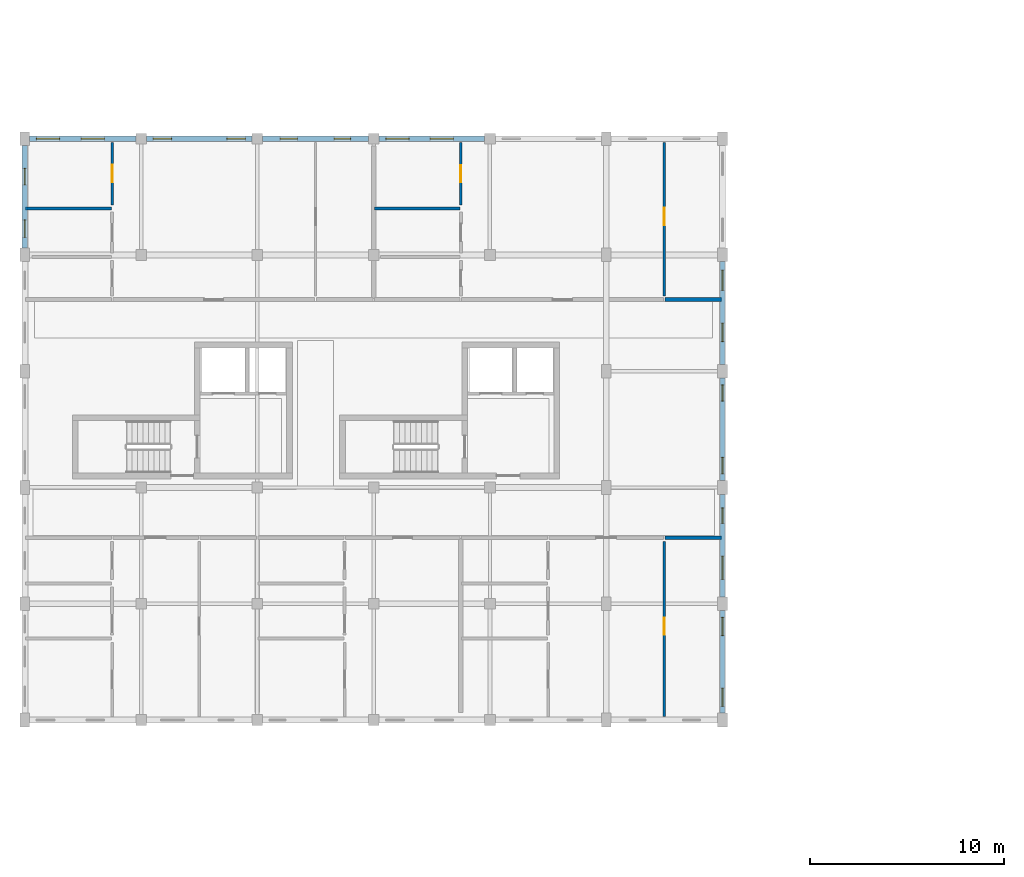
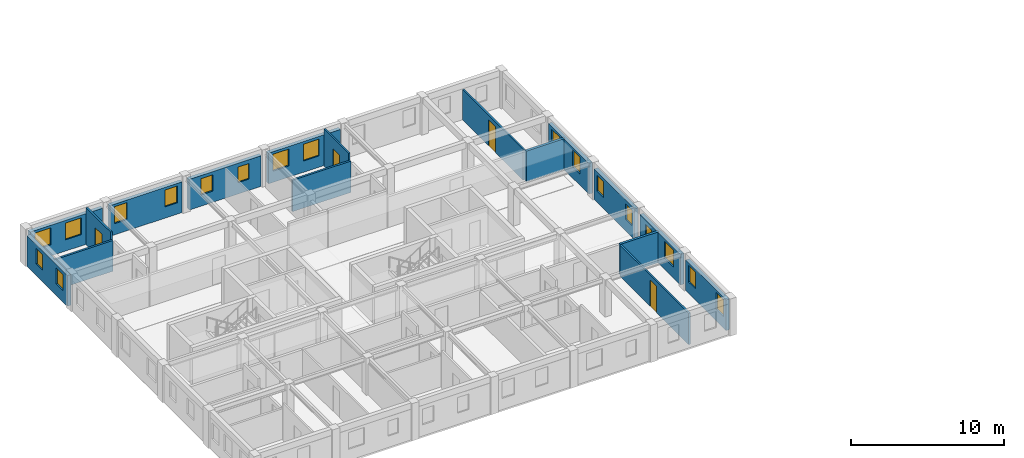
# One storey, part 9 of 28: 18 windows, 17 walls, 4 doors, 22 openings.
"""IFC4 building model written with IfcOpenShell, lengths in metres."""

from ifc_helpers import new_model, si_unit, direction, frame, frame_2d, origin, place, context, subcontext, project, spatial, rectangle, extrude, material, layer, layer_set, type_object, element, fill, save


model = new_model("IFC4")

# Units and contexts
model_context = context("Model", 3, precision=1e-05, world=origin(), true_north=direction((0.0, 1.0)))
body_context = subcontext(model_context, "Body", "Model", "MODEL_VIEW")
ifc_project = project(units=[si_unit("LENGTHUNIT", "METRE"), si_unit("AREAUNIT", "SQUARE_METRE"), si_unit("VOLUMEUNIT", "CUBIC_METRE"), si_unit("PLANEANGLEUNIT", "RADIAN"), si_unit("MASSUNIT", "GRAM", prefix="KILO"), si_unit("POWERUNIT", "WATT"), si_unit("THERMODYNAMICTEMPERATUREUNIT", "KELVIN")], contexts=[model_context])

# Site, building, storey
site_placement = place(None, origin())
site = spatial("IfcSite", under=ifc_project, at=site_placement, CompositionType="ELEMENT")
building_placement = place(site_placement, origin())
building = spatial("IfcBuilding", under=site, at=building_placement, Name="Ruvembo Vaulted Housing Court", CompositionType="ELEMENT")
storey_placement = place(building_placement, frame((0.0, 0.0, 23.699951171875)))
storey = spatial("IfcBuildingStorey", under=building, at=storey_placement, Name="L07", CompositionType="ELEMENT", Elevation=23.699951171875)

# Walls
ifc_material_1 = material(Name="Concrete Blockwork 190", Category="masonry")
ifc_layer_1 = layer(ifc_material_1, 0.18994140625, Name="Concrete Blockwork 190")
ifc_layer_set_1 = layer_set([ifc_layer_1], Name="Concrete Blockwork 190")
wall_type_1 = type_object("IfcWallType", Name="WL-CORR-190", PredefinedType="SOLIDWALL", material=ifc_layer_set_1)
for number, where, z_axis, x_axis, name in (
    (1, (33.0400390625, 15.39990234375, 0.0), (0.0, 0.0, 1.0), (1.0, 0.0, 0.0), "L07 Flat A-L07-S3 Corridor Wall 2 WL-INT-L07-01887"),
    (2, (33.0400390625, 27.699951171875, 0.0), (0.0, 0.0, 1.0), (1.0, 0.0, 0.0), "L07 Flat A-L07-N2 Corridor Wall 2 WL-INT-L07-01906"),
):
    element("IfcWall", number, at=place(storey_placement, frame(where, z_axis=z_axis, x_axis=x_axis)), inside=storey, type_object=wall_type_1, Name=name, PredefinedType="SOLIDWALL", context=body_context, shape_type="SweptSolid", body=[
        extrude(rectangle(XDim=2.919921875, YDim=0.18994140625, at=frame_2d((1.4599609375, 0.0))), origin(), (0.0, 0.0, 1.0), 2.45703125),
    ])

# Wall, openings, windows
ifc_material_2 = material(Name="Rendered Masonry 270", Category="masonry")
ifc_layer_2 = layer(ifc_material_2, 0.27001953125, Name="Rendered Masonry 270")
ifc_layer_set_2 = layer_set([ifc_layer_2], Name="Rendered Masonry 270")
wall_type_2 = type_object("IfcWallType", Name="WL-EXT-270", PredefinedType="STANDARD", material=ifc_layer_set_2)
wall_1_placement = place(storey_placement, frame((36.0, 6.35009765625, 0.0), z_axis=(0.0, 0.0, 1.0), x_axis=(0.0, 1.0, 0.0)))
wall_1 = element("IfcWall", 3, at=wall_1_placement, inside=storey, type_object=wall_type_2, Name="Block A L07 Exterior Wall EAST #1", PredefinedType="STANDARD", context=body_context, shape_type="SweptSolid", body=[
    extrude(rectangle(XDim=5.2998046875, YDim=0.27001953125, at=frame_2d((2.64990234375, 0.0))), origin(), (0.0, 0.0, 1.0), 2.45703125),
])
opening_1_placement = place(wall_1_placement, frame((0.35009765625, 0.0, 0.89990234375)))
opening_1 = element("IfcOpeningElement", 4, at=opening_1_placement, cuts=wall_1, Name="Opening W07", PredefinedType="OPENING", context=body_context, shape_type="SweptSolid", body=[
    extrude(rectangle(XDim=0.949951171875, YDim=1.35009765625, at=frame_2d((0.47509765625, 0.675048828125))), frame((0.0, 0.14501953125, 0.0), z_axis=(0.0, -1.0, 0.0), x_axis=(1.0, 0.0, 0.0)), (0.0, 0.0, 1.0), 0.2900390625),
])
opening_2_placement = place(wall_1_placement, frame((4.0, 0.0, 0.89990234375)))
opening_2 = element("IfcOpeningElement", 5, at=opening_2_placement, cuts=wall_1, Name="Opening W07", PredefinedType="OPENING", context=body_context, shape_type="SweptSolid", body=[
    extrude(rectangle(XDim=0.949951171875, YDim=1.35009765625, at=frame_2d((0.47509765625, 0.675048828125))), frame((0.0, 0.14501953125, 0.0), z_axis=(0.0, -1.0, 0.0), x_axis=(1.0, 0.0, 0.0)), (0.0, 0.0, 1.0), 0.2900390625),
])
ifc_material_3 = material(Name="Double Solar-Control Glazing in Aluminium Frame", Category="aluminium")
window_type_1 = type_object("IfcWindowType", Name="WIN-0950x1350", PartitioningType="SINGLE_PANEL", PredefinedType="WINDOW", material=ifc_material_3)
window_1_placement = place(opening_1_placement, origin())
window_1 = element("IfcWindow", 6, at=window_1_placement, inside=storey, type_object=window_type_1, Name="Block A L07 Window #309", OverallHeight=1.35009765625, OverallWidth=0.949951171875, PartitioningType="SINGLE_PANEL", PredefinedType="WINDOW", context=body_context, shape_type="SweptSolid", body=[
    extrude(rectangle(XDim=0.949951171875, YDim=1.35009765625, at=frame_2d((0.47509765625, 0.675048828125))), frame((0.0, 0.030029296875, 0.0), z_axis=(0.0, -1.0, 0.0), x_axis=(1.0, 0.0, 0.0)), (0.0, 0.0, 1.0), 0.06005859375),
])
fill(opening_1, window_1)
window_2_placement = place(opening_2_placement, origin())
window_2 = element("IfcWindow", 7, at=window_2_placement, inside=storey, type_object=window_type_1, Name="Block A L07 Window #310", OverallHeight=1.35009765625, OverallWidth=0.949951171875, PartitioningType="SINGLE_PANEL", PredefinedType="WINDOW", context=body_context, shape_type="SweptSolid", body=[
    extrude(rectangle(XDim=0.949951171875, YDim=1.35009765625, at=frame_2d((0.47509765625, 0.675048828125))), frame((0.0, 0.030029296875, 0.0), z_axis=(0.0, -1.0, 0.0), x_axis=(1.0, 0.0, 0.0)), (0.0, 0.0, 1.0), 0.06005859375),
])
fill(opening_2, window_2)

wall_2_placement = place(storey_placement, frame((36.0, 12.35009765625, 0.0), z_axis=(0.0, 0.0, 1.0), x_axis=(0.0, 1.0, 0.0)))
wall_2 = element("IfcWall", 8, at=wall_2_placement, inside=storey, type_object=wall_type_2, Name="Block A L07 Exterior Wall EAST #2", PredefinedType="STANDARD", context=body_context, shape_type="SweptSolid", body=[
    extrude(rectangle(XDim=5.2998046875, YDim=0.27001953125, at=frame_2d((2.64990234375, 0.0))), origin(), (0.0, 0.0, 1.0), 2.45703125),
])
opening_3_placement = place(wall_2_placement, frame((0.905029296875, 0.0, 0.89990234375)))
opening_3 = element("IfcOpeningElement", 9, at=opening_3_placement, cuts=wall_2, Name="Opening W12", PredefinedType="OPENING", context=body_context, shape_type="SweptSolid", body=[
    extrude(rectangle(XDim=1.199951171875, YDim=1.35009765625, at=frame_2d((0.60009765625, 0.675048828125))), frame((0.0, 0.14501953125, 0.0), z_axis=(0.0, -1.0, 0.0), x_axis=(1.0, 0.0, 0.0)), (0.0, 0.0, 1.0), 0.2900390625),
])
opening_4_placement = place(wall_2_placement, frame((3.794921875, 0.0, 0.89990234375)))
opening_4 = element("IfcOpeningElement", 10, at=opening_4_placement, cuts=wall_2, Name="Opening W02", PredefinedType="OPENING", context=body_context, shape_type="SweptSolid", body=[
    extrude(rectangle(XDim=0.800048828125, YDim=1.199951171875, at=frame_2d((0.39990234375, 0.60009765625))), frame((0.0, 0.14501953125, 0.0), z_axis=(0.0, -1.0, 0.0), x_axis=(1.0, 0.0, 0.0)), (0.0, 0.0, 1.0), 0.2900390625),
])
window_type_2 = type_object("IfcWindowType", Name="WIN-0800x1200", PartitioningType="SINGLE_PANEL", PredefinedType="WINDOW", material=ifc_material_3)
window_3_placement = place(opening_4_placement, origin())
window_3 = element("IfcWindow", 11, at=window_3_placement, inside=storey, type_object=window_type_2, Name="Block A L07 Window #312", OverallHeight=1.199951171875, OverallWidth=0.800048828125, PartitioningType="SINGLE_PANEL", PredefinedType="WINDOW", context=body_context, shape_type="SweptSolid", body=[
    extrude(rectangle(XDim=0.800048828125, YDim=1.199951171875, at=frame_2d((0.39990234375, 0.60009765625))), frame((0.0, 0.030029296875, 0.0), z_axis=(0.0, -1.0, 0.0), x_axis=(1.0, 0.0, 0.0)), (0.0, 0.0, 1.0), 0.06005859375),
])
fill(opening_4, window_3)
window_type_3 = type_object("IfcWindowType", Name="WIN-1200x1350", PartitioningType="SINGLE_PANEL", PredefinedType="WINDOW", material=ifc_material_3)
window_4_placement = place(opening_3_placement, origin())
window_4 = element("IfcWindow", 12, at=window_4_placement, inside=storey, type_object=window_type_3, Name="Block A L07 Window #311", OverallHeight=1.35009765625, OverallWidth=1.199951171875, PartitioningType="SINGLE_PANEL", PredefinedType="WINDOW", context=body_context, shape_type="SweptSolid", body=[
    extrude(rectangle(XDim=1.199951171875, YDim=1.35009765625, at=frame_2d((0.60009765625, 0.675048828125))), frame((0.0, 0.030029296875, 0.0), z_axis=(0.0, -1.0, 0.0), x_axis=(1.0, 0.0, 0.0)), (0.0, 0.0, 1.0), 0.06005859375),
])
fill(opening_3, window_4)

wall_3_placement = place(storey_placement, frame((36.0, 18.35009765625, 0.0), z_axis=(0.0, 0.0, 1.0), x_axis=(0.0, 1.0, 0.0)))
wall_3 = element("IfcWall", 13, at=wall_3_placement, inside=storey, type_object=wall_type_2, Name="Block A L07 Exterior Wall EAST #3", PredefinedType="STANDARD", context=body_context, shape_type="SweptSolid", body=[
    extrude(rectangle(XDim=5.2998046875, YDim=0.27001953125, at=frame_2d((2.64990234375, 0.0))), origin(), (0.0, 0.0, 1.0), 2.45703125),
])
opening_5_placement = place(wall_3_placement, frame((0.35009765625, 0.0, 0.89990234375)))
opening_5 = element("IfcOpeningElement", 14, at=opening_5_placement, cuts=wall_3, Name="Opening W03", PredefinedType="OPENING", context=body_context, shape_type="SweptSolid", body=[
    extrude(rectangle(XDim=0.85009765625, YDim=1.25, at=frame_2d((0.425048828125, 0.625))), frame((0.0, 0.14501953125, 0.0), z_axis=(0.0, -1.0, 0.0), x_axis=(1.0, 0.0, 0.0)), (0.0, 0.0, 1.0), 0.2900390625),
])
opening_6_placement = place(wall_3_placement, frame((4.10009765625, 0.0, 0.89990234375)))
opening_6 = element("IfcOpeningElement", 15, at=opening_6_placement, cuts=wall_3, Name="Opening W03", PredefinedType="OPENING", context=body_context, shape_type="SweptSolid", body=[
    extrude(rectangle(XDim=0.85009765625, YDim=1.25, at=frame_2d((0.425048828125, 0.625))), frame((0.0, 0.14501953125, 0.0), z_axis=(0.0, -1.0, 0.0), x_axis=(1.0, 0.0, 0.0)), (0.0, 0.0, 1.0), 0.2900390625),
])
window_type_4 = type_object("IfcWindowType", Name="WIN-0850x1250", PartitioningType="SINGLE_PANEL", PredefinedType="WINDOW", material=ifc_material_3)
window_5_placement = place(opening_5_placement, origin())
window_5 = element("IfcWindow", 16, at=window_5_placement, inside=storey, type_object=window_type_4, Name="Block A L07 Window #313", OverallHeight=1.25, OverallWidth=0.85009765625, PartitioningType="SINGLE_PANEL", PredefinedType="WINDOW", context=body_context, shape_type="SweptSolid", body=[
    extrude(rectangle(XDim=0.85009765625, YDim=1.25, at=frame_2d((0.425048828125, 0.625))), frame((0.0, 0.030029296875, 0.0), z_axis=(0.0, -1.0, 0.0), x_axis=(1.0, 0.0, 0.0)), (0.0, 0.0, 1.0), 0.06005859375),
])
fill(opening_5, window_5)
window_6_placement = place(opening_6_placement, origin())
window_6 = element("IfcWindow", 17, at=window_6_placement, inside=storey, type_object=window_type_4, Name="Block A L07 Window #314", OverallHeight=1.25, OverallWidth=0.85009765625, PartitioningType="SINGLE_PANEL", PredefinedType="WINDOW", context=body_context, shape_type="SweptSolid", body=[
    extrude(rectangle(XDim=0.85009765625, YDim=1.25, at=frame_2d((0.425048828125, 0.625))), frame((0.0, 0.030029296875, 0.0), z_axis=(0.0, -1.0, 0.0), x_axis=(1.0, 0.0, 0.0)), (0.0, 0.0, 1.0), 0.06005859375),
])
fill(opening_6, window_6)

wall_4_placement = place(storey_placement, frame((36.0, 24.35009765625, 0.0), z_axis=(0.0, 0.0, 1.0), x_axis=(0.0, 1.0, 0.0)))
wall_4 = element("IfcWall", 18, at=wall_4_placement, inside=storey, type_object=wall_type_2, Name="Block A L07 Exterior Wall EAST #4", PredefinedType="STANDARD", context=body_context, shape_type="SweptSolid", body=[
    extrude(rectangle(XDim=5.2998046875, YDim=0.27001953125, at=frame_2d((2.64990234375, 0.0))), origin(), (0.0, 0.0, 1.0), 2.45703125),
])
opening_7_placement = place(wall_4_placement, frame((1.179931640625, 0.0, 0.89990234375)))
opening_7 = element("IfcOpeningElement", 19, at=opening_7_placement, cuts=wall_4, Name="Opening W07", PredefinedType="OPENING", context=body_context, shape_type="SweptSolid", body=[
    extrude(rectangle(XDim=0.949951171875, YDim=1.35009765625, at=frame_2d((0.47509765625, 0.675048828125))), frame((0.0, 0.14501953125, 0.0), z_axis=(0.0, -1.0, 0.0), x_axis=(1.0, 0.0, 0.0)), (0.0, 0.0, 1.0), 0.2900390625),
])
opening_8_placement = place(wall_4_placement, frame((3.820068359375, 0.0, 0.89990234375)))
opening_8 = element("IfcOpeningElement", 20, at=opening_8_placement, cuts=wall_4, Name="Opening W09", PredefinedType="OPENING", context=body_context, shape_type="SweptSolid", body=[
    extrude(rectangle(XDim=1.050048828125, YDim=1.35009765625, at=frame_2d((0.52490234375, 0.675048828125))), frame((0.0, 0.14501953125, 0.0), z_axis=(0.0, -1.0, 0.0), x_axis=(1.0, 0.0, 0.0)), (0.0, 0.0, 1.0), 0.2900390625),
])
window_7_placement = place(opening_7_placement, origin())
window_7 = element("IfcWindow", 21, at=window_7_placement, inside=storey, type_object=window_type_1, Name="Block A L07 Window #315", OverallHeight=1.35009765625, OverallWidth=0.949951171875, PartitioningType="SINGLE_PANEL", PredefinedType="WINDOW", context=body_context, shape_type="SweptSolid", body=[
    extrude(rectangle(XDim=0.949951171875, YDim=1.35009765625, at=frame_2d((0.47509765625, 0.675048828125))), frame((0.0, 0.030029296875, 0.0), z_axis=(0.0, -1.0, 0.0), x_axis=(1.0, 0.0, 0.0)), (0.0, 0.0, 1.0), 0.06005859375),
])
fill(opening_7, window_7)
window_type_5 = type_object("IfcWindowType", Name="WIN-1050x1350", PartitioningType="SINGLE_PANEL", PredefinedType="WINDOW", material=ifc_material_3)
window_8_placement = place(opening_8_placement, origin())
window_8 = element("IfcWindow", 22, at=window_8_placement, inside=storey, type_object=window_type_5, Name="Block A L07 Window #316", OverallHeight=1.35009765625, OverallWidth=1.050048828125, PartitioningType="SINGLE_PANEL", PredefinedType="WINDOW", context=body_context, shape_type="SweptSolid", body=[
    extrude(rectangle(XDim=1.050048828125, YDim=1.35009765625, at=frame_2d((0.52490234375, 0.675048828125))), frame((0.0, 0.030029296875, 0.0), z_axis=(0.0, -1.0, 0.0), x_axis=(1.0, 0.0, 0.0)), (0.0, 0.0, 1.0), 0.06005859375),
])
fill(opening_8, window_8)

wall_5_placement = place(storey_placement, frame((23.72509765625, 36.0, 0.0), z_axis=(0.0, 0.0, 1.0), x_axis=(-1.0, 0.0, 0.0)))
wall_5 = element("IfcWall", 23, at=wall_5_placement, inside=storey, type_object=wall_type_2, Name="Block A L07 Exterior Wall COURTYARD #3", PredefinedType="STANDARD", context=body_context, shape_type="SweptSolid", body=[
    extrude(rectangle(XDim=5.4501953125, YDim=0.27001953125, at=frame_2d((2.72509765625, 0.0))), origin(), (0.0, 0.0, 1.0), 2.45703125),
])
opening_9_placement = place(wall_5_placement, frame((1.614990234375, 0.0, 0.89990234375)))
opening_9 = element("IfcOpeningElement", 24, at=opening_9_placement, cuts=wall_5, Name="Opening W12", PredefinedType="OPENING", context=body_context, shape_type="SweptSolid", body=[
    extrude(rectangle(XDim=1.199951171875, YDim=1.35009765625, at=frame_2d((0.60009765625, 0.675048828125))), frame((0.0, 0.14501953125, 0.0), z_axis=(0.0, -1.0, 0.0), x_axis=(1.0, 0.0, 0.0)), (0.0, 0.0, 1.0), 0.2900390625),
])
opening_10_placement = place(wall_5_placement, frame((3.89990234375, 0.0, 0.89990234375)))
opening_10 = element("IfcOpeningElement", 25, at=opening_10_placement, cuts=wall_5, Name="Opening W12", PredefinedType="OPENING", context=body_context, shape_type="SweptSolid", body=[
    extrude(rectangle(XDim=1.199951171875, YDim=1.35009765625, at=frame_2d((0.60009765625, 0.675048828125))), frame((0.0, 0.14501953125, 0.0), z_axis=(0.0, -1.0, 0.0), x_axis=(1.0, 0.0, 0.0)), (0.0, 0.0, 1.0), 0.2900390625),
])
window_9_placement = place(opening_9_placement, origin())
window_9 = element("IfcWindow", 26, at=window_9_placement, inside=storey, type_object=window_type_3, Name="Block A L07 Window #323", OverallHeight=1.35009765625, OverallWidth=1.199951171875, PartitioningType="SINGLE_PANEL", PredefinedType="WINDOW", context=body_context, shape_type="SweptSolid", body=[
    extrude(rectangle(XDim=1.199951171875, YDim=1.35009765625, at=frame_2d((0.60009765625, 0.675048828125))), frame((0.0, 0.030029296875, 0.0), z_axis=(0.0, -1.0, 0.0), x_axis=(1.0, 0.0, 0.0)), (0.0, 0.0, 1.0), 0.06005859375),
])
fill(opening_9, window_9)
window_10_placement = place(opening_10_placement, origin())
window_10 = element("IfcWindow", 27, at=window_10_placement, inside=storey, type_object=window_type_3, Name="Block A L07 Window #324", OverallHeight=1.35009765625, OverallWidth=1.199951171875, PartitioningType="SINGLE_PANEL", PredefinedType="WINDOW", context=body_context, shape_type="SweptSolid", body=[
    extrude(rectangle(XDim=1.199951171875, YDim=1.35009765625, at=frame_2d((0.60009765625, 0.675048828125))), frame((0.0, 0.030029296875, 0.0), z_axis=(0.0, -1.0, 0.0), x_axis=(1.0, 0.0, 0.0)), (0.0, 0.0, 1.0), 0.06005859375),
])
fill(opening_10, window_10)

wall_6_placement = place(storey_placement, frame((17.72509765625, 36.0, 0.0), z_axis=(0.0, 0.0, 1.0), x_axis=(-1.0, 0.0, 0.0)))
wall_6 = element("IfcWall", 28, at=wall_6_placement, inside=storey, type_object=wall_type_2, Name="Block A L07 Exterior Wall COURTYARD #4", PredefinedType="STANDARD", context=body_context, shape_type="SweptSolid", body=[
    extrude(rectangle(XDim=5.4501953125, YDim=0.27001953125, at=frame_2d((2.72509765625, 0.0))), origin(), (0.0, 0.0, 1.0), 2.45703125),
])
opening_11_placement = place(wall_6_placement, frame((0.91748046875, 0.0, 0.89990234375)))
opening_11 = element("IfcOpeningElement", 29, at=opening_11_placement, cuts=wall_6, Name="Opening W03", PredefinedType="OPENING", context=body_context, shape_type="SweptSolid", body=[
    extrude(rectangle(XDim=0.85009765625, YDim=1.25, at=frame_2d((0.425048828125, 0.625))), frame((0.0, 0.14501953125, 0.0), z_axis=(0.0, -1.0, 0.0), x_axis=(1.0, 0.0, 0.0)), (0.0, 0.0, 1.0), 0.2900390625),
])
opening_12_placement = place(wall_6_placement, frame((3.657470703125, 0.0, 0.89990234375)))
opening_12 = element("IfcOpeningElement", 30, at=opening_12_placement, cuts=wall_6, Name="Opening W04", PredefinedType="OPENING", context=body_context, shape_type="SweptSolid", body=[
    extrude(rectangle(XDim=0.89990234375, YDim=1.300048828125, at=frame_2d((0.449951171875, 0.64990234375))), frame((0.0, 0.14501953125, 0.0), z_axis=(0.0, -1.0, 0.0), x_axis=(1.0, 0.0, 0.0)), (0.0, 0.0, 1.0), 0.2900390625),
])
window_11_placement = place(opening_11_placement, origin())
window_11 = element("IfcWindow", 31, at=window_11_placement, inside=storey, type_object=window_type_4, Name="Block A L07 Window #325", OverallHeight=1.25, OverallWidth=0.85009765625, PartitioningType="SINGLE_PANEL", PredefinedType="WINDOW", context=body_context, shape_type="SweptSolid", body=[
    extrude(rectangle(XDim=0.85009765625, YDim=1.25, at=frame_2d((0.425048828125, 0.625))), frame((0.0, 0.030029296875, 0.0), z_axis=(0.0, -1.0, 0.0), x_axis=(1.0, 0.0, 0.0)), (0.0, 0.0, 1.0), 0.06005859375),
])
fill(opening_11, window_11)
window_type_6 = type_object("IfcWindowType", Name="WIN-0900x1300", PartitioningType="SINGLE_PANEL", PredefinedType="WINDOW", material=ifc_material_3)
window_12_placement = place(opening_12_placement, origin())
window_12 = element("IfcWindow", 32, at=window_12_placement, inside=storey, type_object=window_type_6, Name="Block A L07 Window #326", OverallHeight=1.300048828125, OverallWidth=0.89990234375, PartitioningType="SINGLE_PANEL", PredefinedType="WINDOW", context=body_context, shape_type="SweptSolid", body=[
    extrude(rectangle(XDim=0.89990234375, YDim=1.300048828125, at=frame_2d((0.449951171875, 0.64990234375))), frame((0.0, 0.030029296875, 0.0), z_axis=(0.0, -1.0, 0.0), x_axis=(1.0, 0.0, 0.0)), (0.0, 0.0, 1.0), 0.06005859375),
])
fill(opening_12, window_12)

wall_7_placement = place(storey_placement, frame((11.72509765625, 36.0, 0.0), z_axis=(0.0, 0.0, 1.0), x_axis=(-1.0, 0.0, 0.0)))
wall_7 = element("IfcWall", 33, at=wall_7_placement, inside=storey, type_object=wall_type_2, Name="Block A L07 Exterior Wall COURTYARD #5", PredefinedType="STANDARD", context=body_context, shape_type="SweptSolid", body=[
    extrude(rectangle(XDim=5.4501953125, YDim=0.27001953125, at=frame_2d((2.72509765625, 0.0))), origin(), (0.0, 0.0, 1.0), 2.45703125),
])
opening_13_placement = place(wall_7_placement, frame((0.35009765625, 0.0, 0.89990234375)))
opening_13 = element("IfcOpeningElement", 34, at=opening_13_placement, cuts=wall_7, Name="Opening W07", PredefinedType="OPENING", context=body_context, shape_type="SweptSolid", body=[
    extrude(rectangle(XDim=0.949951171875, YDim=1.35009765625, at=frame_2d((0.47509765625, 0.675048828125))), frame((0.0, 0.14501953125, 0.0), z_axis=(0.0, -1.0, 0.0), x_axis=(1.0, 0.0, 0.0)), (0.0, 0.0, 1.0), 0.2900390625),
])
opening_14_placement = place(wall_7_placement, frame((4.14990234375, 0.0, 0.89990234375)))
opening_14 = element("IfcOpeningElement", 35, at=opening_14_placement, cuts=wall_7, Name="Opening W07", PredefinedType="OPENING", context=body_context, shape_type="SweptSolid", body=[
    extrude(rectangle(XDim=0.949951171875, YDim=1.35009765625, at=frame_2d((0.47509765625, 0.675048828125))), frame((0.0, 0.14501953125, 0.0), z_axis=(0.0, -1.0, 0.0), x_axis=(1.0, 0.0, 0.0)), (0.0, 0.0, 1.0), 0.2900390625),
])
window_13_placement = place(opening_13_placement, origin())
window_13 = element("IfcWindow", 36, at=window_13_placement, inside=storey, type_object=window_type_1, Name="Block A L07 Window #327", OverallHeight=1.35009765625, OverallWidth=0.949951171875, PartitioningType="SINGLE_PANEL", PredefinedType="WINDOW", context=body_context, shape_type="SweptSolid", body=[
    extrude(rectangle(XDim=0.949951171875, YDim=1.35009765625, at=frame_2d((0.47509765625, 0.675048828125))), frame((0.0, 0.030029296875, 0.0), z_axis=(0.0, -1.0, 0.0), x_axis=(1.0, 0.0, 0.0)), (0.0, 0.0, 1.0), 0.06005859375),
])
fill(opening_13, window_13)
window_14_placement = place(opening_14_placement, origin())
window_14 = element("IfcWindow", 37, at=window_14_placement, inside=storey, type_object=window_type_1, Name="Block A L07 Window #328", OverallHeight=1.35009765625, OverallWidth=0.949951171875, PartitioningType="SINGLE_PANEL", PredefinedType="WINDOW", context=body_context, shape_type="SweptSolid", body=[
    extrude(rectangle(XDim=0.949951171875, YDim=1.35009765625, at=frame_2d((0.47509765625, 0.675048828125))), frame((0.0, 0.030029296875, 0.0), z_axis=(0.0, -1.0, 0.0), x_axis=(1.0, 0.0, 0.0)), (0.0, 0.0, 1.0), 0.06005859375),
])
fill(opening_14, window_14)

wall_8_placement = place(storey_placement, frame((5.72509765625, 36.0, 0.0), z_axis=(0.0, 0.0, 1.0), x_axis=(-1.0, 0.0, 0.0)))
wall_8 = element("IfcWall", 38, at=wall_8_placement, inside=storey, type_object=wall_type_2, Name="Block A L07 Exterior Wall COURTYARD #6", PredefinedType="STANDARD", context=body_context, shape_type="SweptSolid", body=[
    extrude(rectangle(XDim=5.47509765625, YDim=0.27001953125, at=frame_2d((2.737548828125, 0.0))), origin(), (0.0, 0.0, 1.0), 2.45703125),
])
opening_15_placement = place(wall_8_placement, frame((1.614990234375, 0.0, 0.89990234375)))
opening_15 = element("IfcOpeningElement", 39, at=opening_15_placement, cuts=wall_8, Name="Opening W12", PredefinedType="OPENING", context=body_context, shape_type="SweptSolid", body=[
    extrude(rectangle(XDim=1.199951171875, YDim=1.35009765625, at=frame_2d((0.60009765625, 0.675048828125))), frame((0.0, 0.14501953125, 0.0), z_axis=(0.0, -1.0, 0.0), x_axis=(1.0, 0.0, 0.0)), (0.0, 0.0, 1.0), 0.2900390625),
])
opening_16_placement = place(wall_8_placement, frame((3.925048828125, 0.0, 0.89990234375)))
opening_16 = element("IfcOpeningElement", 40, at=opening_16_placement, cuts=wall_8, Name="Opening W12", PredefinedType="OPENING", context=body_context, shape_type="SweptSolid", body=[
    extrude(rectangle(XDim=1.199951171875, YDim=1.35009765625, at=frame_2d((0.60009765625, 0.675048828125))), frame((0.0, 0.14501953125, 0.0), z_axis=(0.0, -1.0, 0.0), x_axis=(1.0, 0.0, 0.0)), (0.0, 0.0, 1.0), 0.2900390625),
])
window_15_placement = place(opening_15_placement, origin())
window_15 = element("IfcWindow", 41, at=window_15_placement, inside=storey, type_object=window_type_3, Name="Block A L07 Window #329", OverallHeight=1.35009765625, OverallWidth=1.199951171875, PartitioningType="SINGLE_PANEL", PredefinedType="WINDOW", context=body_context, shape_type="SweptSolid", body=[
    extrude(rectangle(XDim=1.199951171875, YDim=1.35009765625, at=frame_2d((0.60009765625, 0.675048828125))), frame((0.0, 0.030029296875, 0.0), z_axis=(0.0, -1.0, 0.0), x_axis=(1.0, 0.0, 0.0)), (0.0, 0.0, 1.0), 0.06005859375),
])
fill(opening_15, window_15)
window_16_placement = place(opening_16_placement, origin())
window_16 = element("IfcWindow", 42, at=window_16_placement, inside=storey, type_object=window_type_3, Name="Block A L07 Window #330", OverallHeight=1.35009765625, OverallWidth=1.199951171875, PartitioningType="SINGLE_PANEL", PredefinedType="WINDOW", context=body_context, shape_type="SweptSolid", body=[
    extrude(rectangle(XDim=1.199951171875, YDim=1.35009765625, at=frame_2d((0.60009765625, 0.675048828125))), frame((0.0, 0.030029296875, 0.0), z_axis=(0.0, -1.0, 0.0), x_axis=(1.0, 0.0, 0.0)), (0.0, 0.0, 1.0), 0.06005859375),
])
fill(opening_16, window_16)

wall_9_placement = place(storey_placement, frame((0.0, 35.64990234375, 0.0), z_axis=(0.0, 0.0, 1.0), x_axis=(0.0, -1.0, 0.0)))
wall_9 = element("IfcWall", 43, at=wall_9_placement, inside=storey, type_object=wall_type_2, Name="Block A L07 Exterior Wall WEST #1", PredefinedType="STANDARD", context=body_context, shape_type="SweptSolid", body=[
    extrude(rectangle(XDim=5.2998046875, YDim=0.27001953125, at=frame_2d((2.64990234375, 0.0))), origin(), (0.0, 0.0, 1.0), 2.45703125),
])
opening_17_placement = place(wall_9_placement, frame((1.179931640625, 0.0, 0.89990234375)))
opening_17 = element("IfcOpeningElement", 44, at=opening_17_placement, cuts=wall_9, Name="Opening W03", PredefinedType="OPENING", context=body_context, shape_type="SweptSolid", body=[
    extrude(rectangle(XDim=0.85009765625, YDim=1.25, at=frame_2d((0.425048828125, 0.625))), frame((0.0, 0.14501953125, 0.0), z_axis=(0.0, -1.0, 0.0), x_axis=(1.0, 0.0, 0.0)), (0.0, 0.0, 1.0), 0.2900390625),
])
opening_18_placement = place(wall_9_placement, frame((3.844970703125, 0.0, 0.89990234375)))
opening_18 = element("IfcOpeningElement", 45, at=opening_18_placement, cuts=wall_9, Name="Opening W04", PredefinedType="OPENING", context=body_context, shape_type="SweptSolid", body=[
    extrude(rectangle(XDim=0.89990234375, YDim=1.300048828125, at=frame_2d((0.449951171875, 0.64990234375))), frame((0.0, 0.14501953125, 0.0), z_axis=(0.0, -1.0, 0.0), x_axis=(1.0, 0.0, 0.0)), (0.0, 0.0, 1.0), 0.2900390625),
])
window_17_placement = place(opening_17_placement, origin())
window_17 = element("IfcWindow", 46, at=window_17_placement, inside=storey, type_object=window_type_4, Name="Block A L07 Window #331", OverallHeight=1.25, OverallWidth=0.85009765625, PartitioningType="SINGLE_PANEL", PredefinedType="WINDOW", context=body_context, shape_type="SweptSolid", body=[
    extrude(rectangle(XDim=0.85009765625, YDim=1.25, at=frame_2d((0.425048828125, 0.625))), frame((0.0, 0.030029296875, 0.0), z_axis=(0.0, -1.0, 0.0), x_axis=(1.0, 0.0, 0.0)), (0.0, 0.0, 1.0), 0.06005859375),
])
fill(opening_17, window_17)
window_18_placement = place(opening_18_placement, origin())
window_18 = element("IfcWindow", 47, at=window_18_placement, inside=storey, type_object=window_type_6, Name="Block A L07 Window #332", OverallHeight=1.300048828125, OverallWidth=0.89990234375, PartitioningType="SINGLE_PANEL", PredefinedType="WINDOW", context=body_context, shape_type="SweptSolid", body=[
    extrude(rectangle(XDim=0.89990234375, YDim=1.300048828125, at=frame_2d((0.449951171875, 0.64990234375))), frame((0.0, 0.030029296875, 0.0), z_axis=(0.0, -1.0, 0.0), x_axis=(1.0, 0.0, 0.0)), (0.0, 0.0, 1.0), 0.06005859375),
])
fill(opening_18, window_18)

# Wall, opening, door
ifc_material_4 = material(Name="Plasterboard Stud Partition 125", Category="gypsum")
ifc_layer_3 = layer(ifc_material_4, 0.125, Name="Plasterboard Stud Partition 125")
ifc_layer_set_3 = layer_set([ifc_layer_3], Name="Plasterboard Stud Partition 125")
wall_type_3 = type_object("IfcWallType", Name="WL-PART-125", PredefinedType="PARTITIONING", material=ifc_layer_set_3)
wall_10_placement = place(storey_placement, frame((33.0, 6.18994140625, 0.0), z_axis=(0.0, 0.0, 1.0), x_axis=(0.0, 1.0, 0.0)))
wall_10 = element("IfcWall", 48, at=wall_10_placement, inside=storey, type_object=wall_type_3, Name="L07 Flat A-L07-S3 Bedroom 2 WL-INT-L07-01888", PredefinedType="PARTITIONING", context=body_context, shape_type="SweptSolid", body=[
    extrude(rectangle(XDim=9.02001953125, YDim=0.125, at=frame_2d((4.510009765625, 0.0))), origin(), (0.0, 0.0, 1.0), 2.508056640625),
])
opening_19_placement = place(wall_10_placement, frame((4.199951171875, 0.0, 0.0)))
opening_19 = element("IfcOpeningElement", 49, at=opening_19_placement, cuts=wall_10, Name="Opening ID1", PredefinedType="OPENING", context=body_context, shape_type="SweptSolid", body=[
    extrude(rectangle(XDim=0.89990234375, YDim=2.10009765625, at=frame_2d((0.449951171875, 1.050048828125))), frame((0.0, 0.072509765625, 0.0), z_axis=(0.0, -1.0, 0.0), x_axis=(1.0, 0.0, 0.0)), (0.0, 0.0, 1.0), 0.14501953125),
])
ifc_material_5 = material(Name="FSC Hardwood and Engineered Timber", Category="wood")
door_type_1 = type_object("IfcDoorType", Name="DR-ROOM-0900x2100", OperationType="NOTDEFINED", PredefinedType="DOOR", material=ifc_material_5)
door_1_placement = place(opening_19_placement, origin())
door_1 = element("IfcDoor", 50, at=door_1_placement, inside=storey, type_object=door_type_1, Name="L07 Flat A-L07-S3 Bedroom 2 Door DR-INT-L07-01062", OperationType="SINGLE_SWING_RIGHT", OverallHeight=2.10009765625, OverallWidth=0.89990234375, PredefinedType="DOOR", context=body_context, shape_type="SweptSolid", body=[
    extrude(rectangle(XDim=0.89990234375, YDim=2.10009765625, at=frame_2d((0.449951171875, 1.050048828125))), frame((0.0, 0.02490234375, 0.0), z_axis=(0.0, -1.0, 0.0), x_axis=(1.0, 0.0, 0.0)), (0.0, 0.0, 1.0), 0.050048828125),
])
fill(opening_19, door_1)

wall_11_placement = place(storey_placement, frame((4.5, 32.590087890625, 0.0), z_axis=(0.0, 0.0, 1.0), x_axis=(0.0, 1.0, 0.0)))
wall_11 = element("IfcWall", 51, at=wall_11_placement, inside=storey, type_object=wall_type_3, Name="L07 Flat A-L07-N1 Bedroom 1 WL-INT-L07-01892", PredefinedType="PARTITIONING", context=body_context, shape_type="SweptSolid", body=[
    extrude(rectangle(XDim=3.219970703125, YDim=0.125, at=frame_2d((1.60986328125, 0.0))), origin(), (0.0, 0.0, 1.0), 2.97509765625),
])
opening_20_placement = place(wall_11_placement, frame((1.159912109375, 0.0, 0.0)))
opening_20 = element("IfcOpeningElement", 52, at=opening_20_placement, cuts=wall_11, Name="Opening ID1", PredefinedType="OPENING", context=body_context, shape_type="SweptSolid", body=[
    extrude(rectangle(XDim=0.89990234375, YDim=2.10009765625, at=frame_2d((0.449951171875, 1.050048828125))), frame((0.0, 0.072509765625, 0.0), z_axis=(0.0, -1.0, 0.0), x_axis=(1.0, 0.0, 0.0)), (0.0, 0.0, 1.0), 0.14501953125),
])
door_2_placement = place(opening_20_placement, origin())
door_2 = element("IfcDoor", 53, at=door_2_placement, inside=storey, type_object=door_type_1, Name="L07 Flat A-L07-N1 Bedroom 1 Door DR-INT-L07-01064", OperationType="SINGLE_SWING_RIGHT", OverallHeight=2.10009765625, OverallWidth=0.89990234375, PredefinedType="DOOR", context=body_context, shape_type="SweptSolid", body=[
    extrude(rectangle(XDim=0.89990234375, YDim=2.10009765625, at=frame_2d((0.449951171875, 1.050048828125))), frame((0.0, 0.02490234375, 0.0), z_axis=(0.0, -1.0, 0.0), x_axis=(1.0, 0.0, 0.0)), (0.0, 0.0, 1.0), 0.050048828125),
])
fill(opening_20, door_2)

wall_12_placement = place(storey_placement, frame((22.5, 32.590087890625, 0.0), z_axis=(0.0, 0.0, 1.0), x_axis=(0.0, 1.0, 0.0)))
wall_12 = element("IfcWall", 54, at=wall_12_placement, inside=storey, type_object=wall_type_3, Name="L07 Flat A-L07-N2 Bedroom 1 WL-INT-L07-01901", PredefinedType="PARTITIONING", context=body_context, shape_type="SweptSolid", body=[
    extrude(rectangle(XDim=3.219970703125, YDim=0.125, at=frame_2d((1.60986328125, 0.0))), origin(), (0.0, 0.0, 1.0), 2.97509765625),
])
opening_21_placement = place(wall_12_placement, frame((1.169921875, 0.0, 0.0)))
opening_21 = element("IfcOpeningElement", 55, at=opening_21_placement, cuts=wall_12, Name="Opening ID3", PredefinedType="OPENING", context=body_context, shape_type="SweptSolid", body=[
    extrude(rectangle(XDim=0.8798828125, YDim=2.10009765625, at=frame_2d((0.43994140625, 1.050048828125))), frame((0.0, 0.072509765625, 0.0), z_axis=(0.0, -1.0, 0.0), x_axis=(1.0, 0.0, 0.0)), (0.0, 0.0, 1.0), 0.14501953125),
])
door_type_2 = type_object("IfcDoorType", Name="DR-ROOM-0880x2100", OperationType="NOTDEFINED", PredefinedType="DOOR", material=ifc_material_5)
door_3_placement = place(opening_21_placement, origin())
door_3 = element("IfcDoor", 56, at=door_3_placement, inside=storey, type_object=door_type_2, Name="L07 Flat A-L07-N2 Bedroom 1 Door DR-INT-L07-01069", OperationType="SINGLE_SWING_LEFT", OverallHeight=2.10009765625, OverallWidth=0.8798828125, PredefinedType="DOOR", context=body_context, shape_type="SweptSolid", body=[
    extrude(rectangle(XDim=0.8798828125, YDim=2.10009765625, at=frame_2d((0.43994140625, 1.050048828125))), frame((0.0, 0.02490234375, 0.0), z_axis=(0.0, -1.0, 0.0), x_axis=(1.0, 0.0, 0.0)), (0.0, 0.0, 1.0), 0.050048828125),
])
fill(opening_21, door_3)

wall_13_placement = place(storey_placement, frame((33.0, 27.889892578125, 0.0), z_axis=(0.0, 0.0, 1.0), x_axis=(0.0, 1.0, 0.0)))
wall_13 = element("IfcWall", 57, at=wall_13_placement, inside=storey, type_object=wall_type_3, Name="L07 Flat A-L07-N2 Bedroom 2 WL-INT-L07-01907", PredefinedType="PARTITIONING", context=body_context, shape_type="SweptSolid", body=[
    extrude(rectangle(XDim=7.920166015625, YDim=0.125, at=frame_2d((3.9599609375, 0.0))), origin(), (0.0, 0.0, 1.0), 2.45703125),
])
opening_22_placement = place(wall_13_placement, frame((3.64990234375, 0.0, 0.0)))
opening_22 = element("IfcOpeningElement", 58, at=opening_22_placement, cuts=wall_13, Name="Opening ID1", PredefinedType="OPENING", context=body_context, shape_type="SweptSolid", body=[
    extrude(rectangle(XDim=0.89990234375, YDim=2.10009765625, at=frame_2d((0.449951171875, 1.050048828125))), frame((0.0, 0.072509765625, 0.0), z_axis=(0.0, -1.0, 0.0), x_axis=(1.0, 0.0, 0.0)), (0.0, 0.0, 1.0), 0.14501953125),
])
door_4_placement = place(opening_22_placement, origin())
door_4 = element("IfcDoor", 59, at=door_4_placement, inside=storey, type_object=door_type_1, Name="L07 Flat A-L07-N2 Bedroom 2 Door DR-INT-L07-01072", OperationType="SINGLE_SWING_RIGHT", OverallHeight=2.10009765625, OverallWidth=0.89990234375, PredefinedType="DOOR", context=body_context, shape_type="SweptSolid", body=[
    extrude(rectangle(XDim=0.89990234375, YDim=2.10009765625, at=frame_2d((0.449951171875, 1.050048828125))), frame((0.0, 0.02490234375, 0.0), z_axis=(0.0, -1.0, 0.0), x_axis=(1.0, 0.0, 0.0)), (0.0, 0.0, 1.0), 0.050048828125),
])
fill(opening_22, door_4)

# Walls
ifc_material_6 = material(Name="Moisture-Resistant Wet Partition 150", Category="gypsum")
ifc_layer_4 = layer(ifc_material_6, 0.14990234375, Name="Moisture-Resistant Wet Partition 150")
ifc_layer_set_4 = layer_set([ifc_layer_4], Name="Moisture-Resistant Wet Partition 150")
wall_type_4 = type_object("IfcWallType", Name="WL-PART-150", PredefinedType="PARTITIONING", material=ifc_layer_set_4)
wall_14_placement = place(storey_placement, frame((0.0400390625, 32.39990234375, 0.0), z_axis=(0.0, 0.0, 1.0), x_axis=(1.0, 0.0, 0.0)))
element("IfcWall", 60, at=wall_14_placement, inside=storey, type_object=wall_type_4, Name="L07 Flat A-L07-N1 Wet Wall 1 WL-INT-L07-01895", PredefinedType="PARTITIONING", context=body_context, shape_type="SweptSolid", body=[
    extrude(rectangle(XDim=4.419921875, YDim=0.14990234375, at=frame_2d((2.2099609375, 0.0))), origin(), (0.0, 0.0, 1.0), 2.45703125),
])
wall_15_placement = place(storey_placement, frame((18.0400390625, 32.39990234375, 0.0), z_axis=(0.0, 0.0, 1.0), x_axis=(1.0, 0.0, 0.0)))
element("IfcWall", 61, at=wall_15_placement, inside=storey, type_object=wall_type_4, Name="L07 Flat A-L07-N2 Wet Wall 1 WL-INT-L07-01904", PredefinedType="PARTITIONING", context=body_context, shape_type="SweptSolid", body=[
    extrude(rectangle(XDim=4.419921875, YDim=0.14990234375, at=frame_2d((2.2099609375, 0.0))), origin(), (0.0, 0.0, 1.0), 2.508056640625),
])

save(model, "model.ifc")
